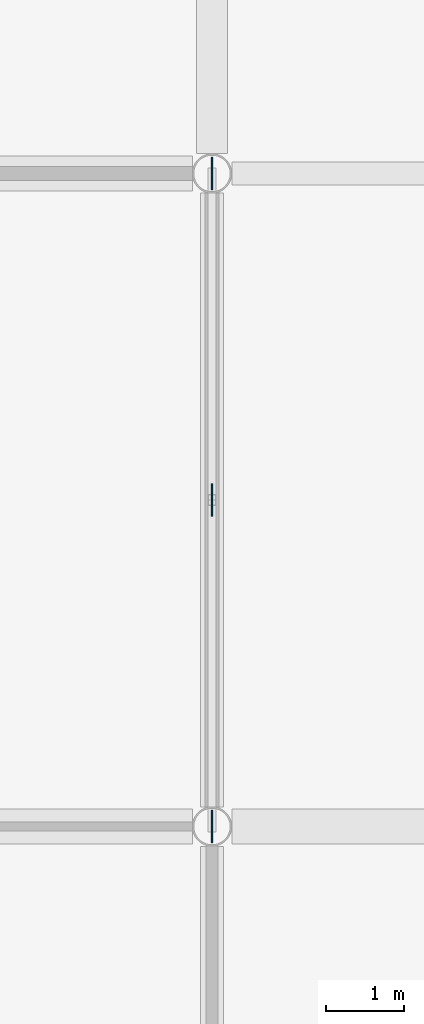
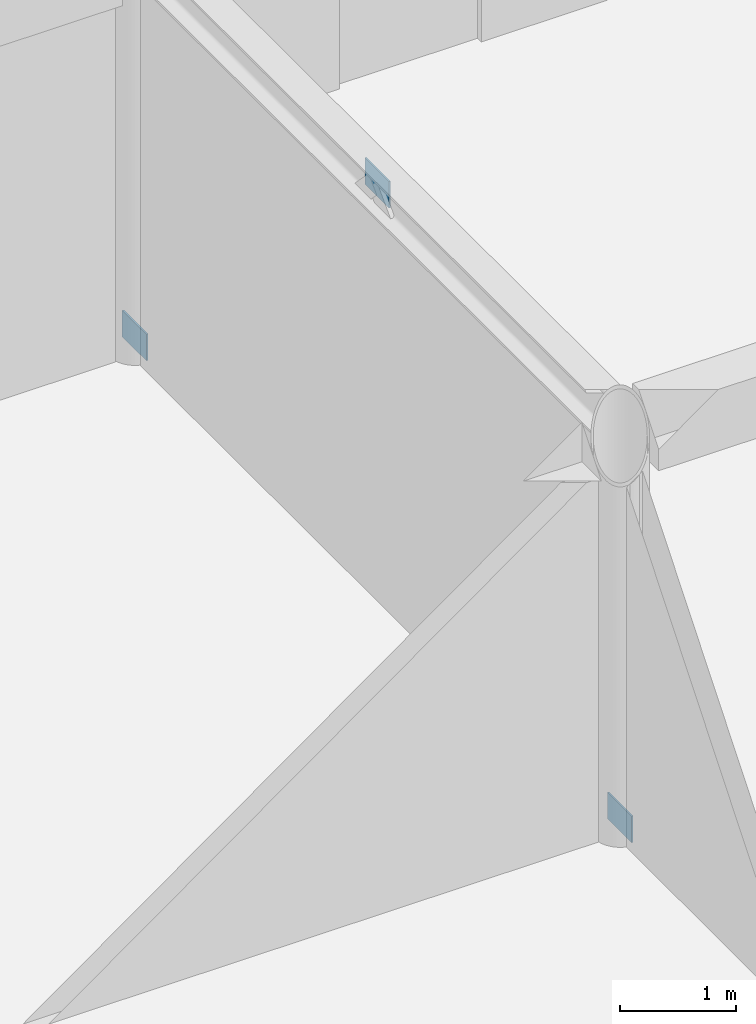
# One storey, part 85 of 138: 3 plates.
"""IFC4 building model written with IfcOpenShell, lengths in metres."""

from ifc_helpers import new_model, si_unit, direction, frame, origin, origin_2d, place, context, subcontext, project, spatial, rectangle, extrude, material, layer, layer_set, type_object, element, save


model = new_model("IFC4")

# Units and contexts
model_context = context("Model", 3, precision=1e-05, world=origin(), true_north=direction((0.0, 1.0)))
body_context = subcontext(model_context, "Body", "Model", "MODEL_VIEW")
ifc_project = project(units=[si_unit("LENGTHUNIT", "METRE"), si_unit("AREAUNIT", "SQUARE_METRE"), si_unit("VOLUMEUNIT", "CUBIC_METRE"), si_unit("PLANEANGLEUNIT", "RADIAN"), si_unit("MASSUNIT", "GRAM", prefix="KILO")], contexts=[model_context])

# Site, building, storey
site_placement = place(None, origin())
site = spatial("IfcSite", under=ifc_project, at=site_placement, CompositionType="ELEMENT")
building_placement = place(site_placement, origin())
building = spatial("IfcBuilding", under=site, at=building_placement, Name="Bramfleet General Hospital", CompositionType="ELEMENT")
storey_placement = place(building_placement, origin())
storey = spatial("IfcBuildingStorey", under=building, at=storey_placement, Name="L00", CompositionType="ELEMENT", Elevation=0.0)

# Plates
ifc_material = material(Name="Steel S355", Category="steel")
ifc_layer = layer(ifc_material, 0.01611328125, Name="PL-GP-420")
ifc_layer_set = layer_set([ifc_layer], Name="Steel S355")
plate_type = type_object("IfcPlateType", Name="PL-GP-420", PredefinedType="USERDEFINED", material=ifc_layer_set)
for number, where, z_axis, x_axis, name in (
    (1, (50.39990234375, 54.60009765625, 4.16015625), (0.0, 0.0, 1.0), (1.0, 0.0, 0.0), "L00 Chevron Gusset Plate 11"),
    (2, (50.39990234375, 50.39990234375, 0.0), (0.0, 0.0, 1.0), (1.0, 0.0, 0.0), "L00 Brace Foot Gusset Plate 11A"),
    (3, (50.39990234375, 58.800048828125, 0.0), (0.0, 0.0, 1.0), (1.0, 0.0, 0.0), "L00 Brace Foot Gusset Plate 11B"),
):
    element("IfcPlate", number, at=place(storey_placement, frame(where, z_axis=z_axis, x_axis=x_axis)), inside=storey, type_object=plate_type, Name=name, ObjectType="Gusset plate", PredefinedType="USERDEFINED", context=body_context, shape_type="SweptSolid", body=[
        extrude(rectangle(XDim=0.01611328125, YDim=0.419921875, at=origin_2d()), origin(), (0.0, 0.0, 1.0), 0.280029296875),
    ])

save(model, "model.ifc")
